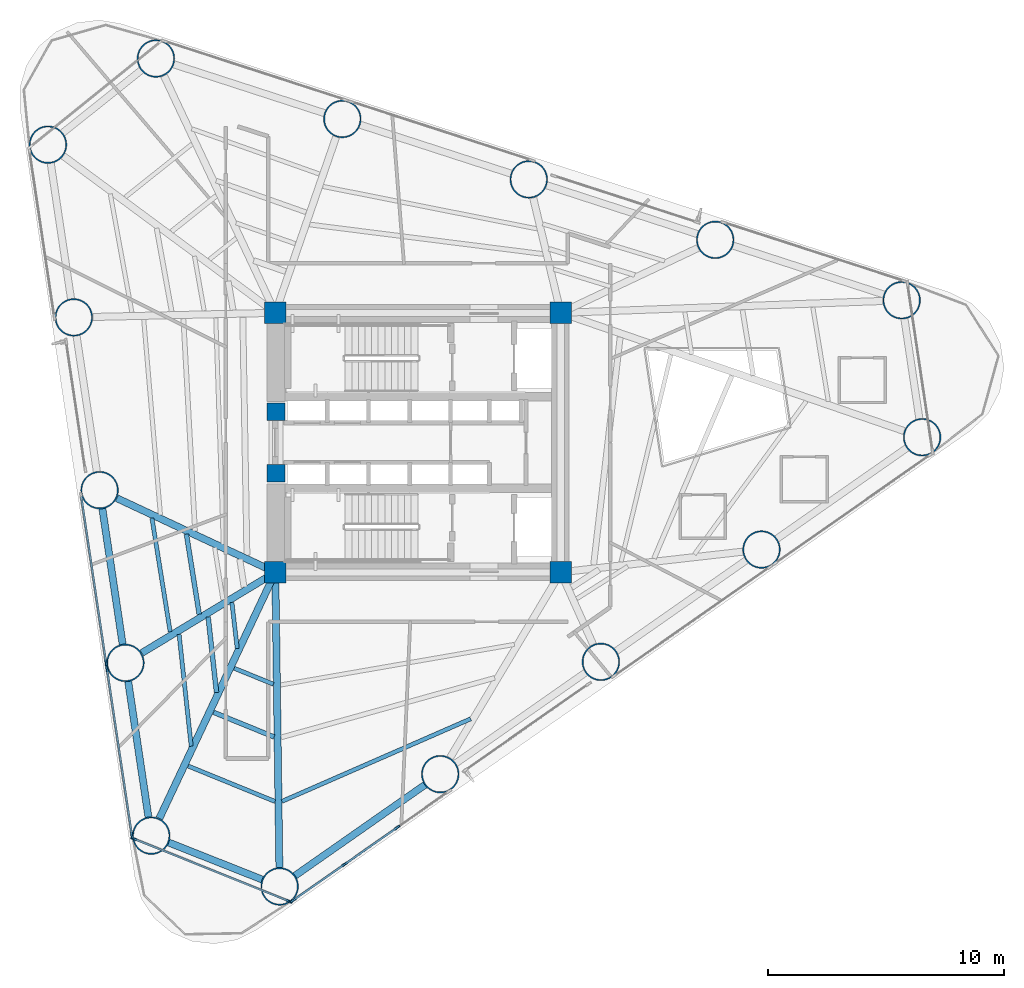
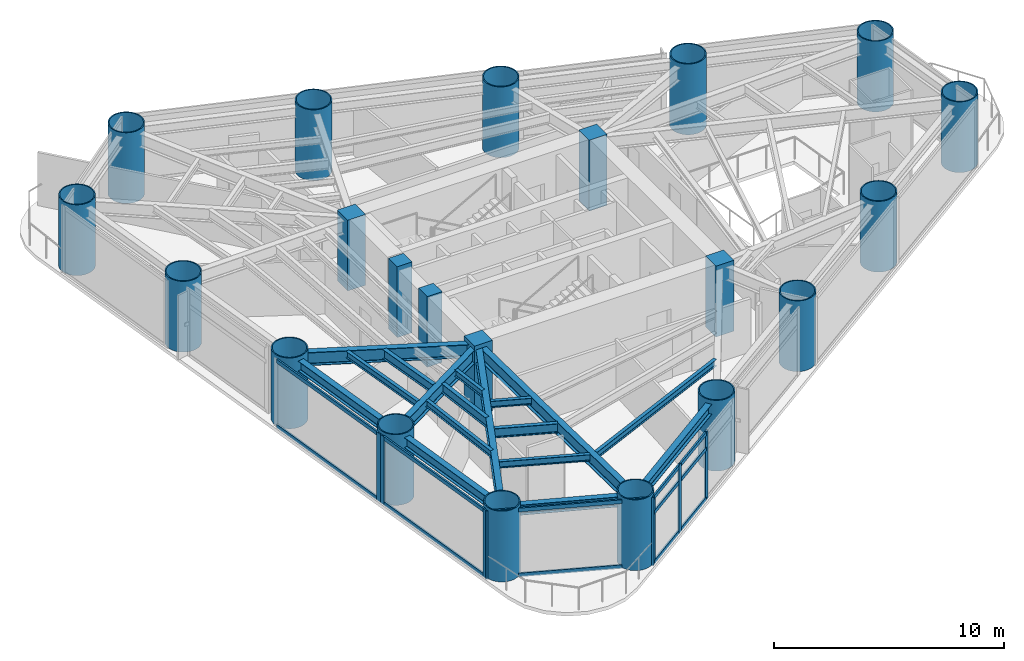
# One storey, part 1 of 9: 21 columns, 20 members, 17 beams, 4 elements without a shape of their own.
"""IFC4 building model written with IfcOpenShell, lengths in metres."""

from ifc_helpers import new_model, si_unit, direction, frame, origin, origin_2d, place, context, subcontext, project, spatial, rectangle, hollow_circle, i_section, extrude, source, transform, mapped, material, layer, layer_set, material_profile, profile_set, type_object, element, aggregate, save


model = new_model("IFC4")

# Units and contexts
model_context = context("Model", 3, precision=1e-05, world=origin(), true_north=direction((0.0, 1.0)))
body_context = subcontext(model_context, "Body", "Model", "MODEL_VIEW")
ifc_project = project(units=[si_unit("LENGTHUNIT", "METRE"), si_unit("AREAUNIT", "SQUARE_METRE"), si_unit("VOLUMEUNIT", "CUBIC_METRE"), si_unit("PLANEANGLEUNIT", "RADIAN"), si_unit("MASSUNIT", "GRAM", prefix="KILO")], contexts=[model_context])

# Site, building, storey
site_placement = place(None, origin())
site = spatial("IfcSite", under=ifc_project, at=site_placement, CompositionType="ELEMENT")
building_placement = place(site_placement, origin())
building = spatial("IfcBuilding", under=site, at=building_placement, Name="Yunling Apex Tower", CompositionType="ELEMENT")
storey_placement = place(building_placement, frame((0.0, 0.0, 81.050048828125)))
storey = spatial("IfcBuildingStorey", under=building, at=storey_placement, Name="L21", CompositionType="ELEMENT", Elevation=81.050048828125)

# Columns
ifc_material_1 = material(Name="Concrete C60", Category="concrete")
ifc_material_profile_1 = material_profile(ifc_material_1, rectangle(XDim=0.89990234375, YDim=0.89990234375, at=origin_2d()))
ifc_profile_set_1 = profile_set([ifc_material_profile_1], Name="Concrete C60")
column_type_1 = type_object("IfcColumnType", Name="PC-SRC-3", PredefinedType="COLUMN", material=ifc_profile_set_1)
shared_shape_1 = source(origin(), body_context, "Body", "SweptSolid", [
    extrude(rectangle(XDim=0.89990234375, YDim=0.89990234375, at=origin_2d()), origin(), (0.0, 0.0, 1.0), 3.75),
])
for number, where, z_axis, x_axis, name in (
    (1, (-6.050048828125, -5.5, 0.0), (0.0, 0.0, 1.0), (1.0, 0.0, 0.0), "L21 Core Spine Column CC-SW"),
    (2, (6.050048828125, -5.5, 0.0), (0.0, 0.0, 1.0), (1.0, 0.0, 0.0), "L21 Core Spine Column CC-SE"),
    (3, (6.050048828125, 5.5, 0.0), (0.0, 0.0, 1.0), (1.0, 0.0, 0.0), "L21 Core Spine Column CC-NE"),
    (4, (-6.050048828125, 5.5, 0.0), (0.0, 0.0, 1.0), (1.0, 0.0, 0.0), "L21 Core Spine Column CC-NW"),
):
    element("IfcColumn", number, at=place(storey_placement, frame(where, z_axis=z_axis, x_axis=x_axis)), inside=storey, type_object=column_type_1, Name=name, PredefinedType="COLUMN", context=body_context, shape_type="MappedRepresentation", body=[
        mapped(shared_shape_1, transform((0.0, 0.0, 0.0), scale=1.0)),
    ])
ifc_material_2 = material(Name="Concrete C50", Category="concrete")
ifc_material_profile_2 = material_profile(ifc_material_2, rectangle(XDim=0.75, YDim=0.75, at=origin_2d()))
ifc_profile_set_2 = profile_set([ifc_material_profile_2], Name="Concrete C50")
column_type_2 = type_object("IfcColumnType", Name="PC-SRC-4", PredefinedType="COLUMN", material=ifc_profile_set_2)
shared_shape_2 = source(origin(), body_context, "Body", "SweptSolid", [
    extrude(rectangle(XDim=0.75, YDim=0.75, at=origin_2d()), origin(), (0.0, 0.0, 1.0), 3.75),
])
for number, where, z_axis, x_axis, name in (
    (5, (-6.02490234375, -1.300048828125, 0.0), (0.0, 0.0, 1.0), (1.0, 0.0, 0.0), "L21 Core West Portal Jamb Column S"),
    (6, (-6.02490234375, 1.300048828125, 0.0), (0.0, 0.0, 1.0), (1.0, 0.0, 0.0), "L21 Core West Portal Jamb Column N"),
):
    element("IfcColumn", number, at=place(storey_placement, frame(where, z_axis=z_axis, x_axis=x_axis)), inside=storey, type_object=column_type_2, Name=name, PredefinedType="COLUMN", context=body_context, shape_type="MappedRepresentation", body=[
        mapped(shared_shape_2, transform((0.0, 0.0, 0.0), scale=1.0)),
    ])
ifc_material_3 = material(Name="Steel Q390GJC", Category="steel")
ifc_material_profile_3 = material_profile(ifc_material_3, hollow_circle(Radius=0.800048828125, WallThickness=0.054931640625, at=origin_2d()))
ifc_profile_set_3 = profile_set([ifc_material_profile_3], Name="Steel Q390GJC")
column_type_3 = type_object("IfcColumnType", Name="MC-CFST-1", PredefinedType="COLUMN", material=ifc_profile_set_3)
shared_shape_3 = source(origin(), body_context, "Body", "SweptSolid", [
    extrude(hollow_circle(Radius=0.800048828125, WallThickness=0.054931640625, at=origin_2d()), origin(), (0.0, 0.0, 1.0), 3.75),
])
for number, where, z_axis, x_axis, name in (
    (7, (-5.8681640625, -18.8193359375, 0.0), (0.0, 0.0, 1.0), (1.0, 0.0, 0.0), "L21 Perimeter CFST Mega-Column P01"),
    (8, (0.941650390625, -14.05810546875, 0.0), (0.0, 0.0, 1.0), (1.0, 0.0, 0.0), "L21 Perimeter CFST Mega-Column P02"),
    (9, (7.751708984375, -9.296875, 0.0), (0.0, 0.0, 1.0), (1.0, 0.0, 0.0), "L21 Perimeter CFST Mega-Column P03"),
    (10, (14.5615234375, -4.535400390625, 0.0), (0.0, 0.0, 1.0), (1.0, 0.0, 0.0), "L21 Perimeter CFST Mega-Column P04"),
    (11, (21.371337890625, 0.225830078125, 0.0), (0.0, 0.0, 1.0), (1.0, 0.0, 0.0), "L21 Perimeter CFST Mega-Column P05"),
    (12, (20.50341796875, 6.032470703125, 0.0), (0.0, 0.0, 1.0), (1.0, 0.0, 0.0), "L21 Perimeter CFST Mega-Column P06"),
    (13, (12.59912109375, 8.594482421875, 0.0), (0.0, 0.0, 1.0), (1.0, 0.0, 0.0), "L21 Perimeter CFST Mega-Column P07"),
    (14, (4.69482421875, 11.15673828125, 0.0), (0.0, 0.0, 1.0), (1.0, 0.0, 0.0), "L21 Perimeter CFST Mega-Column P08"),
    (15, (-3.209716796875, 13.718994140625, 0.0), (0.0, 0.0, 1.0), (1.0, 0.0, 0.0), "L21 Perimeter CFST Mega-Column P09"),
    (16, (-11.114013671875, 16.28125, 0.0), (0.0, 0.0, 1.0), (1.0, 0.0, 0.0), "L21 Perimeter CFST Mega-Column P10"),
    (17, (-15.689208984375, 12.62939453125, 0.0), (0.0, 0.0, 1.0), (1.0, 0.0, 0.0), "L21 Perimeter CFST Mega-Column P11"),
    (18, (-14.594482421875, 5.305908203125, 0.0), (0.0, 0.0, 1.0), (1.0, 0.0, 0.0), "L21 Perimeter CFST Mega-Column P12"),
    (19, (-13.5, -2.017578125, 0.0), (0.0, 0.0, 1.0), (1.0, 0.0, 0.0), "L21 Perimeter CFST Mega-Column P13"),
    (20, (-12.405517578125, -9.341064453125, 0.0), (0.0, 0.0, 1.0), (1.0, 0.0, 0.0), "L21 Perimeter CFST Mega-Column P14"),
    (21, (-11.31103515625, -16.66455078125, 0.0), (0.0, 0.0, 1.0), (1.0, 0.0, 0.0), "L21 Perimeter CFST Mega-Column P15"),
):
    element("IfcColumn", number, at=place(storey_placement, frame(where, z_axis=z_axis, x_axis=x_axis)), inside=storey, type_object=column_type_3, Name=name, PredefinedType="COLUMN", context=body_context, shape_type="MappedRepresentation", body=[
        mapped(shared_shape_3, transform((0.0, 0.0, 0.0), scale=1.0)),
    ])

# Beams
ifc_material_4 = material(Name="Steel Q355B", Category="steel")
ifc_material_profile_4 = material_profile(ifc_material_4, i_section(OverallWidth=0.300048828125, OverallDepth=0.5400390625, WebThickness=0.011962890625, FlangeThickness=0.02001953125, FilletRadius=0.02392578125, at=origin_2d()))
ifc_profile_set_4 = profile_set([ifc_material_profile_4], Name="Steel Q355B")
beam_type_1 = type_object("IfcBeamType", Name="BP-SPN-1", PredefinedType="SPANDREL", material=ifc_profile_set_4)
shared_shape_4 = source(origin(), body_context, "Body", "SweptSolid", [
    extrude(i_section(OverallWidth=0.300048828125, OverallDepth=0.5400390625, WebThickness=0.011962890625, FlangeThickness=0.02001953125, FilletRadius=0.02392578125, at=origin_2d()), origin(), (0.0, 0.0, 1.0), 6.721435546875),
])
beam_1_placement = place(storey_placement, frame((-5.217529296875, -18.364501953125, 3.260009765625), z_axis=(0.81955772083, 0.572996633697, 0.0), x_axis=(-0.572996633697, 0.81955772083, 0.0)))
element("IfcBeam", 22, at=beam_1_placement, inside=storey, type_object=beam_type_1, Name="L21 Perimeter Spandrel Beam 1", PredefinedType="SPANDREL", context=body_context, shape_type="MappedRepresentation", body=[
    mapped(shared_shape_4, transform((0.0, 0.0, 0.0), scale=1.0)),
])
shared_shape_5 = source(origin(), body_context, "Body", "SweptSolid", [
    extrude(i_section(OverallWidth=0.300048828125, OverallDepth=0.5400390625, WebThickness=0.011962890625, FlangeThickness=0.02001953125, FilletRadius=0.02392578125, at=origin_2d()), origin(), (0.0, 0.0, 1.0), 4.265869140625),
])
beam_2_placement = place(storey_placement, frame((-10.57275390625, -16.956787109375, 3.260009765625), z_axis=(0.929781313093, -0.368112360323, 0.0), x_axis=(0.368112360323, 0.929781313093, 0.0)))
element("IfcBeam", 23, at=beam_2_placement, inside=storey, type_object=beam_type_1, Name="L21 Perimeter Spandrel Beam 15", PredefinedType="SPANDREL", context=body_context, shape_type="MappedRepresentation", body=[
    mapped(shared_shape_5, transform((0.0, 0.0, 0.0), scale=1.0)),
])
shared_shape_6 = source(origin(), body_context, "Body", "SweptSolid", [
    extrude(i_section(OverallWidth=0.300048828125, OverallDepth=0.5400390625, WebThickness=0.011962890625, FlangeThickness=0.02001953125, FilletRadius=0.02392578125, at=origin_2d()), origin(), (0.0, 0.0, 1.0), 5.81689453125),
])
for number, where, z_axis, x_axis, name in (
    (24, (-13.3828125, -2.802978515625, 3.260009765625), (0.147823230204, -0.989013797989, 0.0), (0.989013797989, 0.147823230204, 0.0), "L21 Perimeter Spandrel Beam 13"),
    (25, (-12.2880859375, -10.12646484375, 3.260009765625), (0.14778217558, -0.989019933359, 0.0), (0.989019933359, 0.14778217558, 0.0), "L21 Perimeter Spandrel Beam 14"),
):
    element("IfcBeam", number, at=place(storey_placement, frame(where, z_axis=z_axis, x_axis=x_axis)), inside=storey, type_object=beam_type_1, Name=name, PredefinedType="SPANDREL", context=body_context, shape_type="MappedRepresentation", body=[
        mapped(shared_shape_6, transform((0.0, 0.0, 0.0), scale=1.0)),
    ])
ifc_material_profile_5 = material_profile(ifc_material_4, i_section(OverallWidth=0.300048828125, OverallDepth=0.699951171875, WebThickness=0.012939453125, FlangeThickness=0.02392578125, FilletRadius=0.02587890625, at=origin_2d()))
ifc_profile_set_5 = profile_set([ifc_material_profile_5], Name="Steel Q355B")
beam_type_2 = type_object("IfcBeamType", Name="BG-PRI-3", PredefinedType="USERDEFINED", material=ifc_profile_set_5)
shared_shape_7 = source(origin(), body_context, "Body", "SweptSolid", [
    extrude(i_section(OverallWidth=0.300048828125, OverallDepth=0.699951171875, WebThickness=0.012939453125, FlangeThickness=0.02392578125, FilletRadius=0.02587890625, at=origin_2d()), origin(), (0.0, 0.0, 1.0), 12.4326171875),
])
beam_3_placement = place(storey_placement, frame((-5.879150390625, -18.011474609375, 3.179931640625), z_axis=(-0.013647857779, 0.999906863652, 0.0), x_axis=(-0.999906863652, -0.013647857779, 0.0)))
element("IfcBeam", 26, at=beam_3_placement, inside=storey, type_object=beam_type_2, Name="L21 Radial Primary Girder R01", ObjectType="GIRDER", PredefinedType="USERDEFINED", context=body_context, shape_type="MappedRepresentation", body=[
    mapped(shared_shape_7, transform((0.0, 0.0, 0.0), scale=1.0)),
])
shared_shape_8 = source(origin(), body_context, "Body", "SweptSolid", [
    extrude(i_section(OverallWidth=0.300048828125, OverallDepth=0.699951171875, WebThickness=0.012939453125, FlangeThickness=0.02392578125, FilletRadius=0.02587890625, at=origin_2d()), origin(), (0.0, 0.0, 1.0), 7.335693359375),
])
beam_4_placement = place(storey_placement, frame((-12.76806640625, -2.35986328125, 3.179931640625), z_axis=(0.905923640783, -0.423441090437, 0.0), x_axis=(0.423441090437, 0.905923640783, 0.0)))
element("IfcBeam", 27, at=beam_4_placement, inside=storey, type_object=beam_type_2, Name="L21 Radial Primary Girder R13", ObjectType="GIRDER", PredefinedType="USERDEFINED", context=body_context, shape_type="MappedRepresentation", body=[
    mapped(shared_shape_8, transform((0.0, 0.0, 0.0), scale=1.0)),
])
shared_shape_9 = source(origin(), body_context, "Body", "SweptSolid", [
    extrude(i_section(OverallWidth=0.300048828125, OverallDepth=0.699951171875, WebThickness=0.012939453125, FlangeThickness=0.02392578125, FilletRadius=0.02587890625, at=origin_2d()), origin(), (0.0, 0.0, 1.0), 6.5380859375),
])
beam_5_placement = place(storey_placement, frame((-11.714111328125, -8.923095703125, 3.179931640625), z_axis=(0.855857690559, 0.517211381847, 0.0), x_axis=(-0.517211381847, 0.855857690559, 0.0)))
element("IfcBeam", 28, at=beam_5_placement, inside=storey, type_object=beam_type_2, Name="L21 Radial Primary Girder R14", ObjectType="GIRDER", PredefinedType="USERDEFINED", context=body_context, shape_type="MappedRepresentation", body=[
    mapped(shared_shape_9, transform((0.0, 0.0, 0.0), scale=1.0)),
])
shared_shape_10 = source(origin(), body_context, "Body", "SweptSolid", [
    extrude(i_section(OverallWidth=0.300048828125, OverallDepth=0.699951171875, WebThickness=0.012939453125, FlangeThickness=0.02392578125, FilletRadius=0.02587890625, at=origin_2d()), origin(), (0.0, 0.0, 1.0), 11.4541015625),
])
beam_6_placement = place(storey_placement, frame((-10.966796875, -15.93359375, 3.179931640625), z_axis=(0.426297901301, 0.904582831667, 0.0), x_axis=(-0.904582831667, 0.426297901301, 0.0)))
element("IfcBeam", 29, at=beam_6_placement, inside=storey, type_object=beam_type_2, Name="L21 Radial Primary Girder R15", ObjectType="GIRDER", PredefinedType="USERDEFINED", context=body_context, shape_type="MappedRepresentation", body=[
    mapped(shared_shape_10, transform((0.0, 0.0, 0.0), scale=1.0)),
])
ifc_material_profile_6 = material_profile(ifc_material_4, i_section(OverallWidth=0.175048828125, OverallDepth=0.35009765625, WebThickness=0.007080078125, FlangeThickness=0.010986328125, FilletRadius=0.013916015625, at=origin_2d()))
ifc_profile_set_6 = profile_set([ifc_material_profile_6], Name="Steel Q355B")
beam_type_3 = type_object("IfcBeamType", Name="BJ-JST-1", PredefinedType="JOIST", material=ifc_profile_set_6)
shared_shape_11 = source(origin(), body_context, "Body", "SweptSolid", [
    extrude(i_section(OverallWidth=0.175048828125, OverallDepth=0.35009765625, WebThickness=0.007080078125, FlangeThickness=0.010986328125, FilletRadius=0.013916015625, at=origin_2d()), origin(), (0.0, 0.0, 1.0), 8.734375),
])
beam_7_placement = place(storey_placement, frame((-5.77001953125, -15.21240234375, 3.35498046875), z_axis=(0.916252252871, 0.400601808668, 0.0), x_axis=(-0.400601808668, 0.916252252871, 0.0)))
element("IfcBeam", 30, at=beam_7_placement, inside=storey, type_object=beam_type_3, Name="L21 Composite Floor Joist BJ1-1", PredefinedType="JOIST", context=body_context, shape_type="MappedRepresentation", body=[
    mapped(shared_shape_11, transform((0.0, 0.0, 0.0), scale=1.0)),
])
ifc_material_profile_7 = material_profile(ifc_material_4, i_section(OverallWidth=0.199951171875, OverallDepth=0.5, WebThickness=0.010009765625, FlangeThickness=0.01611328125, FilletRadius=0.02001953125, at=origin_2d()))
ifc_profile_set_7 = profile_set([ifc_material_profile_7], Name="Steel Q355B")
beam_type_4 = type_object("IfcBeamType", Name="BS-SEC-2", PredefinedType="BEAM", material=ifc_profile_set_7)
shared_shape_12 = source(origin(), body_context, "Body", "SweptSolid", [
    extrude(i_section(OverallWidth=0.199951171875, OverallDepth=0.5, WebThickness=0.010009765625, FlangeThickness=0.01611328125, FilletRadius=0.02001953125, at=origin_2d()), origin(), (0.0, 0.0, 1.0), 3.435546875),
])
beam_8_placement = place(storey_placement, frame((-9.81884765625, -3.884521484375, 3.280029296875), z_axis=(0.157619096627, -0.987499985002, 0.0), x_axis=(0.987499985002, 0.157619096627, 0.0)))
element("IfcBeam", 31, at=beam_8_placement, inside=storey, type_object=beam_type_4, Name="L21 Composite Floor Beam BS-13", PredefinedType="BEAM", context=body_context, shape_type="MappedRepresentation", body=[
    mapped(shared_shape_12, transform((0.0, 0.0, 0.0), scale=1.0)),
])
shared_shape_13 = source(origin(), body_context, "Body", "SweptSolid", [
    extrude(i_section(OverallWidth=0.175048828125, OverallDepth=0.35009765625, WebThickness=0.007080078125, FlangeThickness=0.010986328125, FilletRadius=0.013916015625, at=origin_2d()), origin(), (0.0, 0.0, 1.0), 4.881591796875),
])
beam_9_placement = place(storey_placement, frame((-11.28076171875, -3.201171875, 3.35498046875), z_axis=(0.158240169421, -0.987400652614, 0.0), x_axis=(0.987400652614, 0.158240169421, 0.0)))
element("IfcBeam", 32, at=beam_9_placement, inside=storey, type_object=beam_type_3, Name="L21 Composite Floor Joist BJ1-13", PredefinedType="JOIST", context=body_context, shape_type="MappedRepresentation", body=[
    mapped(shared_shape_13, transform((0.0, 0.0, 0.0), scale=1.0)),
])
shared_shape_14 = source(origin(), body_context, "Body", "SweptSolid", [
    extrude(i_section(OverallWidth=0.199951171875, OverallDepth=0.5, WebThickness=0.010009765625, FlangeThickness=0.01611328125, FilletRadius=0.02001953125, at=origin_2d()), origin(), (0.0, 0.0, 1.0), 3.222412109375),
])
beam_10_placement = place(storey_placement, frame((-8.898681640625, -7.391357421875, 3.280029296875), z_axis=(0.110315104592, -0.993896663491, 0.0), x_axis=(0.993896663491, 0.110315104592, 0.0)))
element("IfcBeam", 33, at=beam_10_placement, inside=storey, type_object=beam_type_4, Name="L21 Composite Floor Beam BS-14", PredefinedType="BEAM", context=body_context, shape_type="MappedRepresentation", body=[
    mapped(shared_shape_14, transform((0.0, 0.0, 0.0), scale=1.0)),
])
shared_shape_15 = source(origin(), body_context, "Body", "SweptSolid", [
    extrude(i_section(OverallWidth=0.175048828125, OverallDepth=0.35009765625, WebThickness=0.007080078125, FlangeThickness=0.010986328125, FilletRadius=0.013916015625, at=origin_2d()), origin(), (0.0, 0.0, 1.0), 4.765869140625),
])
beam_11_placement = place(storey_placement, frame((-10.130126953125, -8.135498046875, 3.35498046875), z_axis=(0.107732282993, -0.994179941058, 0.0), x_axis=(0.994179941058, 0.107732282993, 0.0)))
element("IfcBeam", 34, at=beam_11_placement, inside=storey, type_object=beam_type_3, Name="L21 Composite Floor Joist BJ1-14", PredefinedType="JOIST", context=body_context, shape_type="MappedRepresentation", body=[
    mapped(shared_shape_15, transform((0.0, 0.0, 0.0), scale=1.0)),
])
shared_shape_16 = source(origin(), body_context, "Body", "SweptSolid", [
    extrude(i_section(OverallWidth=0.175048828125, OverallDepth=0.35009765625, WebThickness=0.007080078125, FlangeThickness=0.010986328125, FilletRadius=0.013916015625, at=origin_2d()), origin(), (0.0, 0.0, 1.0), 1.95947265625),
])
beam_12_placement = place(storey_placement, frame((-7.890625, -6.782470703125, 3.35498046875), z_axis=(0.11512063256, -0.993351518829, 0.0), x_axis=(0.993351518829, 0.11512063256, 0.0)))
element("IfcBeam", 35, at=beam_12_placement, inside=storey, type_object=beam_type_3, Name="L21 Composite Floor Joist BJ3-14", PredefinedType="JOIST", context=body_context, shape_type="MappedRepresentation", body=[
    mapped(shared_shape_16, transform((0.0, 0.0, 0.0), scale=1.0)),
])
shared_shape_17 = source(origin(), body_context, "Body", "SweptSolid", [
    extrude(i_section(OverallWidth=0.199951171875, OverallDepth=0.5, WebThickness=0.010009765625, FlangeThickness=0.01611328125, FilletRadius=0.02001953125, at=origin_2d()), origin(), (0.0, 0.0, 1.0), 2.77294921875),
])
beam_13_placement = place(storey_placement, frame((-8.670166015625, -11.43505859375, 3.280029296875), z_axis=(0.926108309986, -0.377257734413, 0.0), x_axis=(0.377257734413, 0.926108309986, 0.0)))
element("IfcBeam", 36, at=beam_13_placement, inside=storey, type_object=beam_type_4, Name="L21 Composite Floor Beam BS-15", PredefinedType="BEAM", context=body_context, shape_type="MappedRepresentation", body=[
    mapped(shared_shape_17, transform((0.0, 0.0, 0.0), scale=1.0)),
])
shared_shape_18 = source(origin(), body_context, "Body", "SweptSolid", [
    extrude(i_section(OverallWidth=0.175048828125, OverallDepth=0.35009765625, WebThickness=0.007080078125, FlangeThickness=0.010986328125, FilletRadius=0.013916015625, at=origin_2d()), origin(), (0.0, 0.0, 1.0), 3.97412109375),
])
beam_14_placement = place(storey_placement, frame((-9.744384765625, -13.714599609375, 3.35498046875), z_axis=(0.925887115862, -0.377800276178, 0.0), x_axis=(0.377800276178, 0.925887115862, 0.0)))
element("IfcBeam", 37, at=beam_14_placement, inside=storey, type_object=beam_type_3, Name="L21 Composite Floor Joist BJ1-15", PredefinedType="JOIST", context=body_context, shape_type="MappedRepresentation", body=[
    mapped(shared_shape_18, transform((0.0, 0.0, 0.0), scale=1.0)),
])
shared_shape_19 = source(origin(), body_context, "Body", "SweptSolid", [
    extrude(i_section(OverallWidth=0.175048828125, OverallDepth=0.35009765625, WebThickness=0.007080078125, FlangeThickness=0.010986328125, FilletRadius=0.013916015625, at=origin_2d()), origin(), (0.0, 0.0, 1.0), 1.790283203125),
])
beam_15_placement = place(storey_placement, frame((-7.791259765625, -9.56982421875, 3.35498046875), z_axis=(0.926469549023, -0.376369731425, 0.0), x_axis=(0.376369731425, 0.926469549023, 0.0)))
element("IfcBeam", 38, at=beam_15_placement, inside=storey, type_object=beam_type_3, Name="L21 Composite Floor Joist BJ3-15", PredefinedType="JOIST", context=body_context, shape_type="MappedRepresentation", body=[
    mapped(shared_shape_19, transform((0.0, 0.0, 0.0), scale=1.0)),
])

# Curtain wall, members
ifc_material_5 = material(Name="Bronze anodised aluminium", Category="aluminium")
ifc_layer = layer(ifc_material_5, 0.260009765625)
ifc_layer_set = layer_set([ifc_layer], Name="Bronze anodised aluminium")
curtain_wall_type = type_object("IfcCurtainWallType", Name="CW-SYS-2", PredefinedType="NOTDEFINED", material=ifc_layer_set)
curtain_wall_1_placement = place(storey_placement, origin())
curtain_wall_1 = element("IfcCurtainWall", 39, at=curtain_wall_1_placement, inside=storey, type_object=curtain_wall_type, Name="CW-L21-F1-B1", PredefinedType="NOTDEFINED")
ifc_material_profile_8 = material_profile(ifc_material_5, rectangle(XDim=0.0849609375, YDim=0.199951171875, at=origin_2d()))
ifc_profile_set_8 = profile_set([ifc_material_profile_8], Name="Bronze anodised aluminium")
member_type_1 = type_object("IfcMemberType", Name="CW-TRN-2", PredefinedType="USERDEFINED", material=ifc_profile_set_8)
shared_shape_20 = source(origin(), body_context, "Body", "SweptSolid", [
    extrude(rectangle(XDim=0.0849609375, YDim=0.199951171875, at=origin_2d()), origin(), (0.0, 0.0, 1.0), 2.597412109375),
])
member_1_placement = place(storey_placement, frame((-5.272216796875, -19.39111328125, 0.04248046875), z_axis=(0.819510013096, 0.573064864073, 0.0), x_axis=(-0.573064864073, 0.819510013096, 0.0)))
member_1 = element("IfcMember", 40, at=member_1_placement, type_object=member_type_1, Name="CW-SYS-2 transom 1.1", ObjectType="TRANSOM", PredefinedType="USERDEFINED", context=body_context, shape_type="MappedRepresentation", body=[
    mapped(shared_shape_20, transform((0.0, 0.0, 0.0), scale=1.0)),
])
member_2_placement = place(storey_placement, frame((-5.272216796875, -19.39111328125, 2.682861328125), z_axis=(0.819510013096, 0.573064864073, 0.0), x_axis=(-0.573064864073, 0.819510013096, 0.0)))
member_2 = element("IfcMember", 41, at=member_2_placement, type_object=member_type_1, Name="CW-SYS-2 transom 1.2", ObjectType="TRANSOM", PredefinedType="USERDEFINED", context=body_context, shape_type="MappedRepresentation", body=[
    mapped(shared_shape_20, transform((0.0, 0.0, 0.0), scale=1.0)),
])
member_3_placement = place(storey_placement, frame((-5.272216796875, -19.39111328125, 3.487548828125), z_axis=(0.819510013096, 0.573064864073, 0.0), x_axis=(-0.573064864073, 0.819510013096, 0.0)))
member_3 = element("IfcMember", 42, at=member_3_placement, type_object=member_type_1, Name="CW-SYS-2 transom 1.3", ObjectType="TRANSOM", PredefinedType="USERDEFINED", context=body_context, shape_type="MappedRepresentation", body=[
    mapped(shared_shape_20, transform((0.0, 0.0, 0.0), scale=1.0)),
])
shared_shape_21 = source(origin(), body_context, "Body", "SweptSolid", [
    extrude(rectangle(XDim=0.0849609375, YDim=0.199951171875, at=origin_2d()), origin(), (0.0, 0.0, 1.0), 2.639892578125),
])
member_4_placement = place(storey_placement, frame((-3.080810546875, -17.85888671875, 0.04248046875), z_axis=(0.81955329767, 0.573002960095, 0.0), x_axis=(-0.573002960095, 0.81955329767, 0.0)))
member_4 = element("IfcMember", 43, at=member_4_placement, type_object=member_type_1, Name="CW-SYS-2 transom 2.1", ObjectType="TRANSOM", PredefinedType="USERDEFINED", context=body_context, shape_type="MappedRepresentation", body=[
    mapped(shared_shape_21, transform((0.0, 0.0, 0.0), scale=1.0)),
])
member_5_placement = place(storey_placement, frame((-3.080810546875, -17.85888671875, 2.682861328125), z_axis=(0.81955329767, 0.573002960095, 0.0), x_axis=(-0.573002960095, 0.81955329767, 0.0)))
member_5 = element("IfcMember", 44, at=member_5_placement, type_object=member_type_1, Name="CW-SYS-2 transom 2.2", ObjectType="TRANSOM", PredefinedType="USERDEFINED", context=body_context, shape_type="MappedRepresentation", body=[
    mapped(shared_shape_21, transform((0.0, 0.0, 0.0), scale=1.0)),
])
member_6_placement = place(storey_placement, frame((-3.080810546875, -17.85888671875, 3.487548828125), z_axis=(0.81955329767, 0.573002960095, 0.0), x_axis=(-0.573002960095, 0.81955329767, 0.0)))
member_6 = element("IfcMember", 45, at=member_6_placement, type_object=member_type_1, Name="CW-SYS-2 transom 2.3", ObjectType="TRANSOM", PredefinedType="USERDEFINED", context=body_context, shape_type="MappedRepresentation", body=[
    mapped(shared_shape_21, transform((0.0, 0.0, 0.0), scale=1.0)),
])

curtain_wall_2_placement = place(storey_placement, origin())
curtain_wall_2 = element("IfcCurtainWall", 46, at=curtain_wall_2_placement, inside=storey, type_object=curtain_wall_type, Name="CW-L21-CRN3", PredefinedType="NOTDEFINED")
shared_shape_22 = source(origin(), body_context, "Body", "SweptSolid", [
    extrude(rectangle(XDim=0.0849609375, YDim=0.199951171875, at=origin_2d()), origin(), (0.0, 0.0, 1.0), 7.03515625),
])
member_7_placement = place(storey_placement, frame((-12.017578125, -16.8115234375, 0.04248046875), z_axis=(0.927768998615, -0.373155041784, 0.0), x_axis=(0.373155041784, 0.927768998615, 0.0)))
member_7 = element("IfcMember", 47, at=member_7_placement, type_object=member_type_1, Name="CW-SYS-2 transom 1.1", ObjectType="TRANSOM", PredefinedType="USERDEFINED", context=body_context, shape_type="MappedRepresentation", body=[
    mapped(shared_shape_22, transform((0.0, 0.0, 0.0), scale=1.0)),
])
member_8_placement = place(storey_placement, frame((-12.017578125, -16.8115234375, 3.487548828125), z_axis=(0.927768998615, -0.373155041784, 0.0), x_axis=(0.373155041784, 0.927768998615, 0.0)))
member_8 = element("IfcMember", 48, at=member_8_placement, type_object=member_type_1, Name="CW-SYS-2 transom 1.2", ObjectType="TRANSOM", PredefinedType="USERDEFINED", context=body_context, shape_type="MappedRepresentation", body=[
    mapped(shared_shape_22, transform((0.0, 0.0, 0.0), scale=1.0)),
])

curtain_wall_3_placement = place(storey_placement, origin())
curtain_wall_3 = element("IfcCurtainWall", 49, at=curtain_wall_3_placement, inside=storey, type_object=curtain_wall_type, Name="CW-L21-F3-B3", PredefinedType="NOTDEFINED")
shared_shape_23 = source(origin(), body_context, "Body", "SweptSolid", [
    extrude(rectangle(XDim=0.0849609375, YDim=0.199951171875, at=origin_2d()), origin(), (0.0, 0.0, 1.0), 7.08349609375),
])
member_9_placement = place(storey_placement, frame((-14.27734375, -2.296142578125, 0.04248046875), z_axis=(0.147792672874, -0.989018364766, 0.0), x_axis=(0.989018364766, 0.147792672874, 0.0)))
member_9 = element("IfcMember", 50, at=member_9_placement, type_object=member_type_1, Name="CW-SYS-2 transom 1.1", ObjectType="TRANSOM", PredefinedType="USERDEFINED", context=body_context, shape_type="MappedRepresentation", body=[
    mapped(shared_shape_23, transform((0.0, 0.0, 0.0), scale=1.0)),
])
member_10_placement = place(storey_placement, frame((-14.27734375, -2.296142578125, 3.487548828125), z_axis=(0.147792672874, -0.989018364766, 0.0), x_axis=(0.989018364766, 0.147792672874, 0.0)))
member_10 = element("IfcMember", 51, at=member_10_placement, type_object=member_type_1, Name="CW-SYS-2 transom 1.2", ObjectType="TRANSOM", PredefinedType="USERDEFINED", context=body_context, shape_type="MappedRepresentation", body=[
    mapped(shared_shape_23, transform((0.0, 0.0, 0.0), scale=1.0)),
])

curtain_wall_4_placement = place(storey_placement, origin())
curtain_wall_4 = element("IfcCurtainWall", 52, at=curtain_wall_4_placement, inside=storey, type_object=curtain_wall_type, Name="CW-L21-F3-B4", PredefinedType="NOTDEFINED")
shared_shape_24 = source(origin(), body_context, "Body", "SweptSolid", [
    extrude(rectangle(XDim=0.0849609375, YDim=0.199951171875, at=origin_2d()), origin(), (0.0, 0.0, 1.0), 7.083251953125),
])
member_11_placement = place(storey_placement, frame((-13.182861328125, -9.619873046875, 0.04248046875), z_axis=(0.147797711012, -0.989017611886, 0.0), x_axis=(0.989017611886, 0.147797711012, 0.0)))
member_11 = element("IfcMember", 53, at=member_11_placement, type_object=member_type_1, Name="CW-SYS-2 transom 1.1", ObjectType="TRANSOM", PredefinedType="USERDEFINED", context=body_context, shape_type="MappedRepresentation", body=[
    mapped(shared_shape_24, transform((0.0, 0.0, 0.0), scale=1.0)),
])
member_12_placement = place(storey_placement, frame((-13.182861328125, -9.619873046875, 3.487548828125), z_axis=(0.147797711012, -0.989017611886, 0.0), x_axis=(0.989017611886, 0.147797711012, 0.0)))
member_12 = element("IfcMember", 54, at=member_12_placement, type_object=member_type_1, Name="CW-SYS-2 transom 1.2", ObjectType="TRANSOM", PredefinedType="USERDEFINED", context=body_context, shape_type="MappedRepresentation", body=[
    mapped(shared_shape_24, transform((0.0, 0.0, 0.0), scale=1.0)),
])

# Member
ifc_material_profile_9 = material_profile(ifc_material_5, rectangle(XDim=0.0849609375, YDim=0.260009765625, at=origin_2d()))
ifc_profile_set_9 = profile_set([ifc_material_profile_9], Name="Bronze anodised aluminium")
member_type_2 = type_object("IfcMemberType", Name="CW-MUL-2", PredefinedType="MULLION", material=ifc_profile_set_9)
shared_shape_25 = source(origin(), body_context, "Body", "SweptSolid", [
    extrude(rectangle(XDim=0.0849609375, YDim=0.260009765625, at=origin_2d()), origin(), (0.0, 0.0, 1.0), 3.6298828125),
])
member_13_placement = place(storey_placement, frame((-5.3037109375, -19.412841796875, -0.050048828125), z_axis=(0.0, 0.0, 1.0), x_axis=(-0.573004358875, 0.819552319691, 0.0)))
member_13 = element("IfcMember", 55, at=member_13_placement, type_object=member_type_2, Name="CW-SYS-2 mullion 1", PredefinedType="MULLION", context=body_context, shape_type="MappedRepresentation", body=[
    mapped(shared_shape_25, transform((0.0, 0.0, 0.0), scale=1.0)),
])

member_14_placement = place(storey_placement, frame((-3.1123046875, -17.880859375, -0.050048828125), z_axis=(0.0, 0.0, 1.0), x_axis=(-0.573004358875, 0.819552319691, 0.0)))
member_14 = element("IfcMember", 56, at=member_14_placement, type_object=member_type_2, Name="CW-SYS-2 mullion 2", PredefinedType="MULLION", context=body_context, shape_type="MappedRepresentation", body=[
    mapped(shared_shape_25, transform((0.0, 0.0, 0.0), scale=1.0)),
])

member_15_placement = place(storey_placement, frame((-0.885986328125, -16.32421875, -0.050048828125), z_axis=(0.0, 0.0, 1.0), x_axis=(-0.573004358875, 0.819552319691, 0.0)))
member_15 = element("IfcMember", 57, at=member_15_placement, type_object=member_type_2, Name="CW-SYS-2 mullion 3", PredefinedType="MULLION", context=body_context, shape_type="MappedRepresentation", body=[
    mapped(shared_shape_25, transform((0.0, 0.0, 0.0), scale=1.0)),
])

aggregate(curtain_wall_1, [member_13, member_14, member_15, member_1, member_2, member_3, member_4, member_5, member_6])

member_16_placement = place(storey_placement, frame((-13.224853515625, -9.339599609375, -0.050048828125), z_axis=(0.0, 0.0, 1.0), x_axis=(0.98901508166, 0.147814641525, 0.0)))
member_16 = element("IfcMember", 58, at=member_16_placement, type_object=member_type_2, Name="CW-SYS-2 mullion 2", PredefinedType="MULLION", context=body_context, shape_type="MappedRepresentation", body=[
    mapped(shared_shape_25, transform((0.0, 0.0, 0.0), scale=1.0)),
])

aggregate(curtain_wall_3, [member_16, member_9, member_10])

member_17_placement = place(storey_placement, frame((-13.1884765625, -9.58203125, -0.050048828125), z_axis=(0.0, 0.0, 1.0), x_axis=(0.989017099422, 0.14780114022, 0.0)))
member_17 = element("IfcMember", 59, at=member_17_placement, type_object=member_type_2, Name="CW-SYS-2 mullion 1", PredefinedType="MULLION", context=body_context, shape_type="MappedRepresentation", body=[
    mapped(shared_shape_25, transform((0.0, 0.0, 0.0), scale=1.0)),
])

member_18_placement = place(storey_placement, frame((-12.13037109375, -16.6630859375, -0.050048828125), z_axis=(0.0, 0.0, 1.0), x_axis=(0.989017099422, 0.14780114022, 0.0)))
member_18 = element("IfcMember", 60, at=member_18_placement, type_object=member_type_2, Name="CW-SYS-2 mullion 2", PredefinedType="MULLION", context=body_context, shape_type="MappedRepresentation", body=[
    mapped(shared_shape_25, transform((0.0, 0.0, 0.0), scale=1.0)),
])

aggregate(curtain_wall_4, [member_17, member_18, member_11, member_12])

member_19_placement = place(storey_placement, frame((-12.052978515625, -16.79736328125, -0.050048828125), z_axis=(0.0, 0.0, 1.0), x_axis=(0.373143693329, 0.927773562961, 0.0)))
member_19 = element("IfcMember", 61, at=member_19_placement, type_object=member_type_2, Name="CW-SYS-2 mullion 1", PredefinedType="MULLION", context=body_context, shape_type="MappedRepresentation", body=[
    mapped(shared_shape_25, transform((0.0, 0.0, 0.0), scale=1.0)),
])

member_20_placement = place(storey_placement, frame((-5.454833984375, -19.450927734375, -0.050048828125), z_axis=(0.0, 0.0, 1.0), x_axis=(0.373143693329, 0.927773562961, 0.0)))
member_20 = element("IfcMember", 62, at=member_20_placement, type_object=member_type_2, Name="CW-SYS-2 mullion 2", PredefinedType="MULLION", context=body_context, shape_type="MappedRepresentation", body=[
    mapped(shared_shape_25, transform((0.0, 0.0, 0.0), scale=1.0)),
])

aggregate(curtain_wall_2, [member_19, member_20, member_7, member_8])

save(model, "model.ifc")
